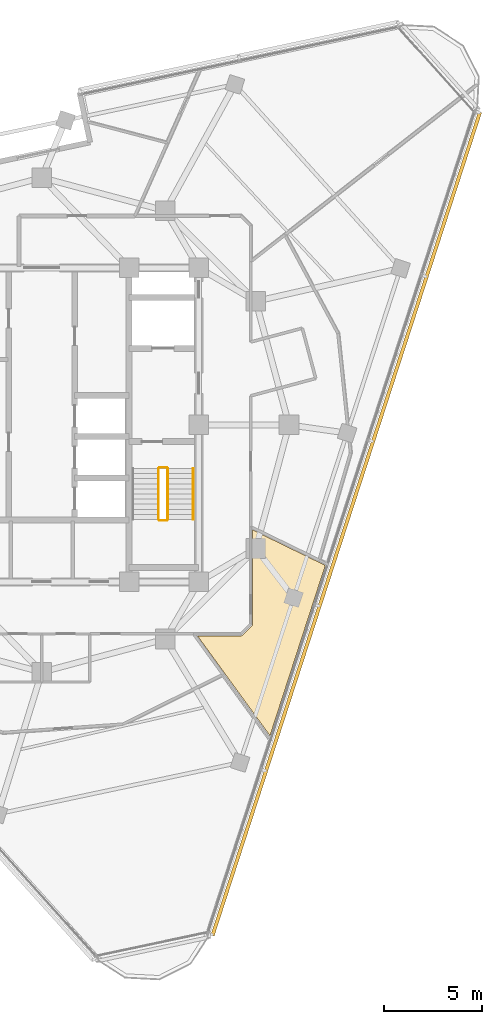
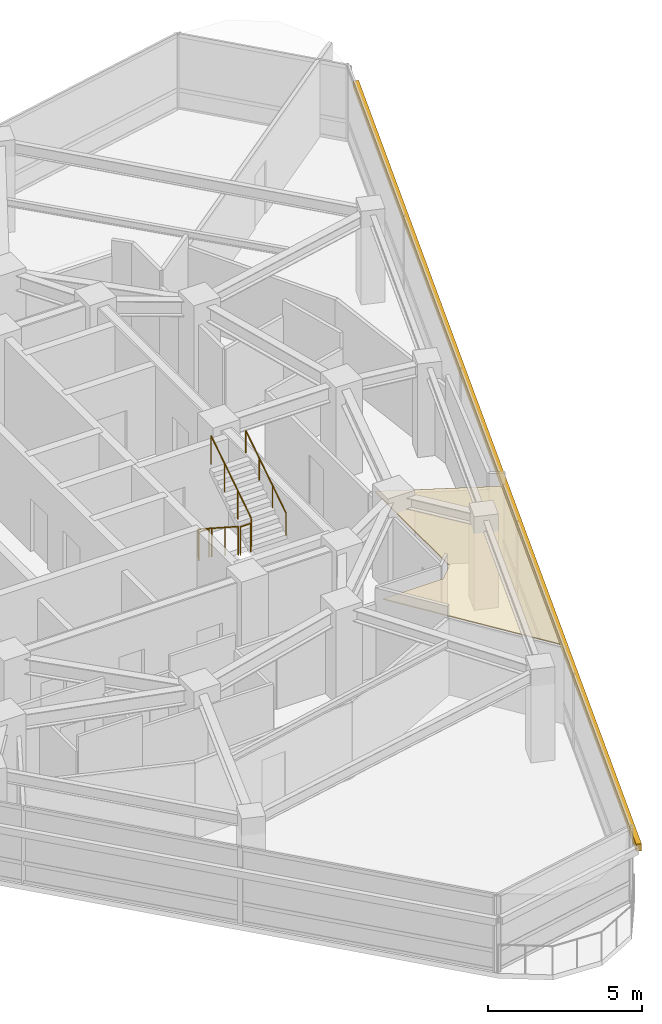
# One storey, part 13 of 15: 5 railings, 1 covering, 1 shading device.
"""IFC4 building model written with IfcOpenShell, lengths in metres."""

from ifc_helpers import new_model, si_unit, direction, frame, origin, origin_2d, place, context, subcontext, project, spatial, polyline, rectangle, circle, outline, extrude, material, layer, layer_set, type_object, element, save


model = new_model("IFC4")

# Units and contexts
model_context = context("Model", 3, precision=1e-05, world=origin(), true_north=direction((0.0, 1.0)))
body_context = subcontext(model_context, "Body", "Model", "MODEL_VIEW")
ifc_project = project(units=[si_unit("LENGTHUNIT", "METRE"), si_unit("AREAUNIT", "SQUARE_METRE"), si_unit("VOLUMEUNIT", "CUBIC_METRE"), si_unit("PLANEANGLEUNIT", "RADIAN"), si_unit("MASSUNIT", "GRAM", prefix="KILO")], contexts=[model_context])

# Site, building, storey
site_placement = place(None, origin())
site = spatial("IfcSite", under=ifc_project, at=site_placement, CompositionType="ELEMENT")
building_placement = place(site_placement, origin())
building = spatial("IfcBuilding", under=site, at=building_placement, Name="Terralouvre Media Tower", CompositionType="ELEMENT")
storey_placement = place(building_placement, frame((0.0, 0.0, 298.0)))
storey = spatial("IfcBuildingStorey", under=building, at=storey_placement, Name="L77", CompositionType="ELEMENT", Elevation=298.0)

# Covering
ifc_material_1 = material(Name="Perforated aluminium acoustic ceiling baffle", Category="aluminium")
ifc_layer_1 = layer(ifc_material_1, 0.0400390625, Name="Perforated Acoustic Metal Tile Ceiling CL-AC1")
ifc_layer_set_1 = layer_set([ifc_layer_1], Name="Perforated aluminium acoustic ceiling baffle")
covering_type = type_object("IfcCoveringType", Name="Perforated Acoustic Metal Tile Ceiling CL-AC1", PredefinedType="CEILING", material=ifc_layer_set_1)
covering_placement = place(storey_placement, frame((0.0, 0.0, 2.97998046875), z_axis=(0.0, 0.0, 1.0), x_axis=(0.309016994375, 0.951056516295, 0.0)))
element("IfcCovering", 1, at=covering_placement, inside=storey, type_object=covering_type, Name="L77 Design Critique Boardroom 5 Acoustic Ceiling", PredefinedType="CEILING", context=body_context, shape_type="SweptSolid", body=[
    extrude(outline(polyline([(-1.77001953125, -11.87841796875), (-6.331298828125, -13.3603515625), (-6.3408203125, -13.363037109375), (-6.350341796875, -13.364501953125), (-6.360107421875, -13.365234375), (-6.3701171875, -13.364990234375), (-6.379638671875, -13.36376953125), (-6.389404296875, -13.361572265625), (-6.398681640625, -13.3583984375), (-6.407470703125, -13.354248046875), (-7.03759765625, -13.033447265625), (-7.046142578125, -13.0283203125), (-7.05419921875, -13.022705078125), (-7.0615234375, -13.016357421875), (-7.068359375, -13.00927734375), (-7.07421875, -13.00146484375), (-7.07958984375, -12.9931640625), (-7.083740234375, -12.984375), (-7.08740234375, -12.97509765625), (-7.77197265625, -10.867919921875), (-9.16162109375, -12.779541015625), (-11.468994140625, -15.95654296875), (-2.34375, -15.956298828125), (-2.287353515625, -15.557373046875), (-1.77001953125, -11.87841796875)])), origin(), (0.0, 0.0, 1.0), 0.0400390625),
])

# Railings
ifc_material_2 = material(Name="Stainless steel 316 handrail and balustrade", Category="steel")
ifc_layer_2 = layer(ifc_material_2, 0.050048828125, Name="Stair Flight Wall Handrail HR-INT1")
ifc_layer_set_2 = layer_set([ifc_layer_2], Name="Stainless steel 316 handrail and balustrade")
railing_type_1 = type_object("IfcRailingType", Name="Stair Flight Wall Handrail HR-INT1", PredefinedType="HANDRAIL", material=ifc_layer_set_2)
railing_1_placement = place(storey_placement, frame((7.72998046875, -4.820068359375, 2.01806640625)))
element("IfcRailing", 2, at=railing_1_placement, inside=storey, type_object=railing_type_1, Name="L77 ST-02 stair handrail 2", PredefinedType="HANDRAIL", context=body_context, shape_type="SweptSolid", body=[
    extrude(circle(Radius=0.02392578125, at=origin_2d()), frame((0.0, 0.0, 0.8759765625), z_axis=(0.0, 0.839648411786, 0.543130320075), x_axis=(-1.0, 0.0, 0.0)), (0.0, 0.0, 1.0), 3.0966796875),
    extrude(circle(Radius=0.02099609375, at=origin_2d()), origin(), (0.0, 0.0, 1.0), 0.851806640625),
    extrude(circle(Radius=0.02099609375, at=origin_2d()), frame((0.0, 0.86669921875, 0.560546875)), (0.0, 0.0, 1.0), 0.851806640625),
    extrude(circle(Radius=0.02099609375, at=origin_2d()), frame((0.0, 1.7333984375, 1.121337890625)), (0.0, 0.0, 1.0), 0.851806640625),
    extrude(circle(Radius=0.02099609375, at=origin_2d()), frame((0.0, 2.60009765625, 1.681884765625)), (0.0, 0.0, 1.0), 0.851806640625),
])
ifc_material_3 = material(Name="Stainless steel 316 handrail and balustrade", Category="steel")
ifc_layer_3 = layer(ifc_material_3, 0.050048828125, Name="Stairwell Safety Guardrail GR-INT1")
ifc_layer_set_3 = layer_set([ifc_layer_3], Name="Stainless steel 316 handrail and balustrade")
railing_type_2 = type_object("IfcRailingType", Name="Stairwell Safety Guardrail GR-INT1", PredefinedType="GUARDRAIL", material=ifc_layer_set_3)
railing_2_placement = place(storey_placement, frame((5.949951171875, -2.219970703125, 0.168212890625)))
element("IfcRailing", 3, at=railing_2_placement, inside=storey, type_object=railing_type_2, Name="L77 ST-02 stair guard 1", PredefinedType="GUARDRAIL", context=body_context, shape_type="SweptSolid", body=[
    extrude(circle(Radius=0.02392578125, at=origin_2d()), frame((0.0, 0.0, 1.1259765625), z_axis=(0.0, -0.839648411786, 0.543130320075), x_axis=(1.0, 0.0, 0.0)), (0.0, 0.0, 1.0), 3.0966796875),
    extrude(circle(Radius=0.02099609375, at=origin_2d()), origin(), (0.0, 0.0, 1.0), 1.101806640625),
    extrude(circle(Radius=0.02099609375, at=origin_2d()), frame((0.0, -0.86669921875, 0.560546875)), (0.0, 0.0, 1.0), 1.101806640625),
    extrude(circle(Radius=0.02099609375, at=origin_2d()), frame((0.0, -1.7333984375, 1.121337890625)), (0.0, 0.0, 1.0), 1.101806640625),
    extrude(circle(Radius=0.02099609375, at=origin_2d()), frame((0.0, -2.60009765625, 1.681884765625)), (0.0, 0.0, 1.0), 1.101806640625),
])
railing_3_placement = place(storey_placement, frame((6.0, -4.8701171875, 1.85009765625)))
element("IfcRailing", 4, at=railing_3_placement, inside=storey, type_object=railing_type_2, Name="L77 ST-02 stair guard 2", PredefinedType="GUARDRAIL", context=body_context, shape_type="SweptSolid", body=[
    extrude(circle(Radius=0.02392578125, at=origin_2d()), frame((0.0, 0.0, 1.1259765625), z_axis=(1.0, 0.0, 0.0), x_axis=(0.0, 1.0, 0.0)), (0.0, 0.0, 1.0), 0.3798828125),
    extrude(circle(Radius=0.02099609375, at=origin_2d()), origin(), (0.0, 0.0, 1.0), 1.101806640625),
    extrude(circle(Radius=0.02099609375, at=origin_2d()), frame((0.3798828125, 0.0, 0.0)), (0.0, 0.0, 1.0), 1.101806640625),
])
railing_4_placement = place(storey_placement, frame((6.429931640625, -4.820068359375, 2.01806640625)))
element("IfcRailing", 5, at=railing_4_placement, inside=storey, type_object=railing_type_2, Name="L77 ST-02 stair guard 3", PredefinedType="GUARDRAIL", context=body_context, shape_type="SweptSolid", body=[
    extrude(circle(Radius=0.02392578125, at=origin_2d()), frame((0.0, 0.0, 1.1259765625), z_axis=(0.0, 0.839648411786, 0.543130320075), x_axis=(-1.0, 0.0, 0.0)), (0.0, 0.0, 1.0), 3.0966796875),
    extrude(circle(Radius=0.02099609375, at=origin_2d()), origin(), (0.0, 0.0, 1.0), 1.101806640625),
    extrude(circle(Radius=0.02099609375, at=origin_2d()), frame((0.0, 0.86669921875, 0.560546875)), (0.0, 0.0, 1.0), 1.101806640625),
    extrude(circle(Radius=0.02099609375, at=origin_2d()), frame((0.0, 1.7333984375, 1.121337890625)), (0.0, 0.0, 1.0), 1.101806640625),
    extrude(circle(Radius=0.02099609375, at=origin_2d()), frame((0.0, 2.60009765625, 1.681884765625)), (0.0, 0.0, 1.0), 1.101806640625),
])
railing_5_placement = place(storey_placement, frame((6.0, -2.169921875, 0.0)))
element("IfcRailing", 6, at=railing_5_placement, inside=storey, type_object=railing_type_2, Name="L77 ST-02 stair guard 4", PredefinedType="GUARDRAIL", context=body_context, shape_type="SweptSolid", body=[
    extrude(circle(Radius=0.02392578125, at=origin_2d()), frame((0.0, 0.0, 1.1259765625), z_axis=(1.0, 0.0, 0.0), x_axis=(0.0, 1.0, 0.0)), (0.0, 0.0, 1.0), 0.3798828125),
    extrude(circle(Radius=0.02099609375, at=origin_2d()), origin(), (0.0, 0.0, 1.0), 1.101806640625),
    extrude(circle(Radius=0.02099609375, at=origin_2d()), frame((0.3798828125, 0.0, 0.0)), (0.0, 0.0, 1.0), 1.101806640625),
])

# Shading device
ifc_material_4 = material(Name="Extruded terracotta baguette sunshade louvres", Category="masonry")
shading_device_type = type_object("IfcShadingDeviceType", Name="Terracotta Baguette Sunshade Louvre Screen TB-LV1", PredefinedType="USERDEFINED", material=ifc_material_4)
shading_device_placement = place(storey_placement, frame((15.517822265625, -5.0419921875, 2.02392578125), z_axis=(0.0, 0.0, 1.0), x_axis=(0.309017021946, 0.951056507337, 0.0)))
element("IfcShadingDevice", 7, at=shading_device_placement, inside=storey, type_object=shading_device_type, Name="CW-L77-F0 Terracotta Baguette Sunshade Louvre", ObjectType="BAGUETTE", PredefinedType="USERDEFINED", context=body_context, shape_type="SweptSolid", body=[
    extrude(rectangle(XDim=44.1201171875, YDim=0.179931640625, at=origin_2d()), origin(), (0.0, 0.0, 1.0), 0.280029296875),
])

save(model, "model.ifc")
